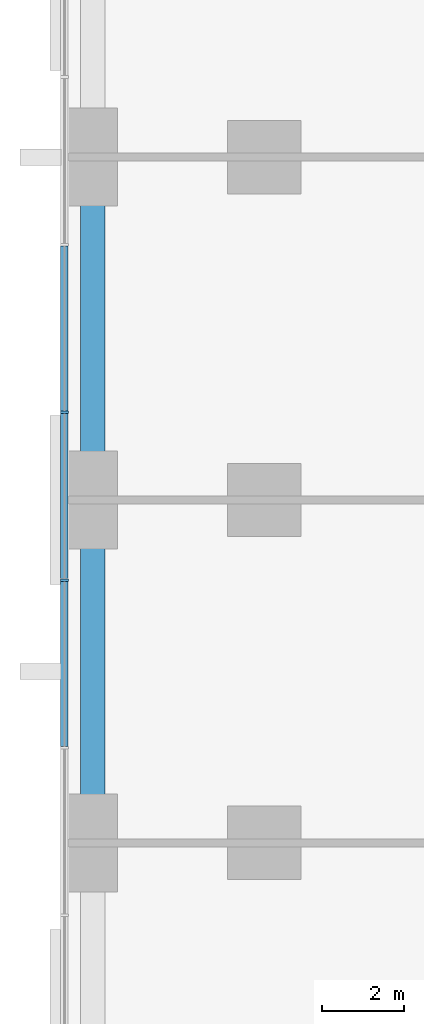
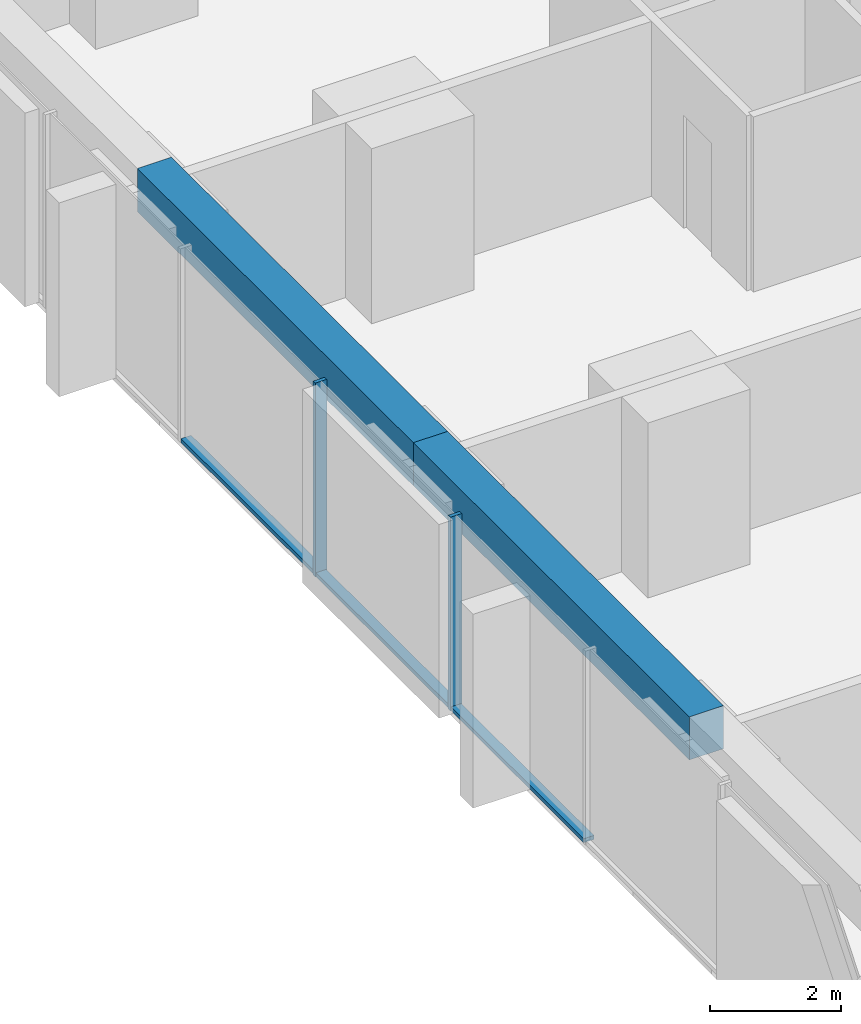
# One storey, part 3 of 17: 5 members, 2 beams, 1 element without a shape of its own.
"""IFC4 building model written with IfcOpenShell, lengths in metres."""

from ifc_helpers import new_model, si_unit, direction, frame, origin, origin_2d, place, context, subcontext, project, spatial, rectangle, extrude, material, material_profile, profile_set, type_object, element, aggregate, save


model = new_model("IFC4")

# Units and contexts
model_context = context("Model", 3, precision=1e-05, world=origin(), true_north=direction((0.0, 1.0)))
body_context = subcontext(model_context, "Body", "Model", "MODEL_VIEW")
ifc_project = project(units=[si_unit("LENGTHUNIT", "METRE"), si_unit("AREAUNIT", "SQUARE_METRE"), si_unit("VOLUMEUNIT", "CUBIC_METRE"), si_unit("PLANEANGLEUNIT", "RADIAN"), si_unit("MASSUNIT", "GRAM", prefix="KILO")], contexts=[model_context])

# Site, building, storey
site_placement = place(None, origin())
site = spatial("IfcSite", under=ifc_project, at=site_placement, CompositionType="ELEMENT")
building_placement = place(site_placement, origin())
building = spatial("IfcBuilding", under=site, at=building_placement, Name="Dunama Terrace Hotel", CompositionType="ELEMENT")
storey_placement = place(building_placement, frame((0.0, 0.0, 66.60009765625)))
storey = spatial("IfcBuildingStorey", under=building, at=storey_placement, Name="L16", CompositionType="ELEMENT", Elevation=66.60009765625)

# Curtain wall, members
ifc_material_1 = material(Name="Aluminium curtain wall system", Category="aluminium")
curtain_wall_type = type_object("IfcCurtainWallType", Name="Unitised fritted glass wall CW-A", PredefinedType="NOTDEFINED", material=ifc_material_1)
curtain_wall_placement = place(storey_placement, origin())
curtain_wall = element("IfcCurtainWall", 1, at=curtain_wall_placement, inside=storey, type_object=curtain_wall_type, Name="Unitised fritted glass wall CW-A L16", PredefinedType="NOTDEFINED")
ifc_material_2 = material(Name="Aluminium mullion", Category="aluminium")
ifc_material_profile_1 = material_profile(ifc_material_2, rectangle(XDim=0.06494140625, YDim=0.199951171875, at=origin_2d()), Name="CWA MULLION 65X200")
ifc_profile_set_1 = profile_set([ifc_material_profile_1], Name="Aluminium mullion")
member_type_1 = type_object("IfcMemberType", Name="CWA mullion 65x200", PredefinedType="MULLION", material=ifc_profile_set_1)
member_1_placement = place(storey_placement, frame((-0.10009765625, 27.345947265625, 0.0), z_axis=(0.0, 0.0, 1.0), x_axis=(0.0, -1.0, 0.0)))
member_1 = element("IfcMember", 2, at=member_1_placement, type_object=member_type_1, Name="CWA mullion", PredefinedType="MULLION", context=body_context, shape_type="SweptSolid", body=[
    extrude(rectangle(XDim=0.06494140625, YDim=0.199951171875, at=origin_2d()), origin(), (0.0, 0.0, 1.0), 3.599853515625),
])
member_2_placement = place(storey_placement, frame((-0.10009765625, 23.238037109375, 0.0), z_axis=(0.0, 0.0, 1.0), x_axis=(0.0, -1.0, 0.0)))
member_2 = element("IfcMember", 3, at=member_2_placement, type_object=member_type_1, Name="CWA mullion", PredefinedType="MULLION", context=body_context, shape_type="SweptSolid", body=[
    extrude(rectangle(XDim=0.06494140625, YDim=0.199951171875, at=origin_2d()), origin(), (0.0, 0.0, 1.0), 3.599853515625),
])
ifc_material_3 = material(Name="Aluminium transom", Category="aluminium")
ifc_material_profile_2 = material_profile(ifc_material_3, rectangle(XDim=0.179931640625, YDim=0.074951171875, at=origin_2d()), Name="CWA TRANSOM 180X75")
ifc_profile_set_2 = profile_set([ifc_material_profile_2], Name="Aluminium transom")
member_type_2 = type_object("IfcMemberType", Name="CWA transom 180x75", PredefinedType="USERDEFINED", material=ifc_profile_set_2)
member_3_placement = place(storey_placement, frame((-0.10009765625, 31.4208984375, 0.037353515625), z_axis=(0.0, -1.0, 0.0), x_axis=(1.0, 0.0, 0.0)))
member_3 = element("IfcMember", 4, at=member_3_placement, type_object=member_type_2, Name="CWA transom", ObjectType="TRANSOM", PredefinedType="USERDEFINED", context=body_context, shape_type="SweptSolid", body=[
    extrude(rectangle(XDim=0.179931640625, YDim=0.074951171875, at=origin_2d()), origin(), (0.0, 0.0, 1.0), 4.0419921875),
])
member_4_placement = place(storey_placement, frame((-0.10009765625, 27.31396484375, 0.037353515625), z_axis=(0.0, -1.0, 0.0), x_axis=(1.0, 0.0, 0.0)))
member_4 = element("IfcMember", 5, at=member_4_placement, type_object=member_type_2, Name="CWA transom", ObjectType="TRANSOM", PredefinedType="USERDEFINED", context=body_context, shape_type="SweptSolid", body=[
    extrude(rectangle(XDim=0.179931640625, YDim=0.074951171875, at=origin_2d()), origin(), (0.0, 0.0, 1.0), 4.04296875),
])
member_5_placement = place(storey_placement, frame((-0.10009765625, 23.2060546875, 0.037353515625), z_axis=(0.0, -1.0, 0.0), x_axis=(1.0, 0.0, 0.0)))
member_5 = element("IfcMember", 6, at=member_5_placement, type_object=member_type_2, Name="CWA transom", ObjectType="TRANSOM", PredefinedType="USERDEFINED", context=body_context, shape_type="SweptSolid", body=[
    extrude(rectangle(XDim=0.179931640625, YDim=0.074951171875, at=origin_2d()), origin(), (0.0, 0.0, 1.0), 4.04296875),
])
aggregate(curtain_wall, [member_1, member_2, member_3, member_4, member_5])

# Beams
ifc_material_4 = material(Name="Concrete C40/50", Category="concrete")
ifc_material_profile_3 = material_profile(ifc_material_4, rectangle(XDim=0.60009765625, YDim=0.800048828125, at=origin_2d()), Name="RC 600x800")
ifc_profile_set_3 = profile_set([ifc_material_profile_3], Name="Concrete C40/50")
beam_type = type_object("IfcBeamType", Name="Edge beam RC 600x800", PredefinedType="SPANDREL", material=ifc_profile_set_3)
beam_1_placement = place(storey_placement, frame((0.60009765625, 16.800048828125, 3.199951171875), z_axis=(0.0, 1.0, 0.0), x_axis=(-1.0, 0.0, 0.0)))
element("IfcBeam", 7, at=beam_1_placement, inside=storey, type_object=beam_type, Name="Edge beam under L17", PredefinedType="SPANDREL", context=body_context, shape_type="SweptSolid", body=[
    extrude(rectangle(XDim=0.60009765625, YDim=0.800048828125, at=origin_2d()), origin(), (0.0, 0.0, 1.0), 8.39990234375),
])
beam_2_placement = place(storey_placement, frame((0.60009765625, 25.199951171875, 3.199951171875), z_axis=(0.0, 1.0, 0.0), x_axis=(-1.0, 0.0, 0.0)))
element("IfcBeam", 8, at=beam_2_placement, inside=storey, type_object=beam_type, Name="Edge beam under L17", PredefinedType="SPANDREL", context=body_context, shape_type="SweptSolid", body=[
    extrude(rectangle(XDim=0.60009765625, YDim=0.800048828125, at=origin_2d()), origin(), (0.0, 0.0, 1.0), 8.400146484375),
])

save(model, "model.ifc")
